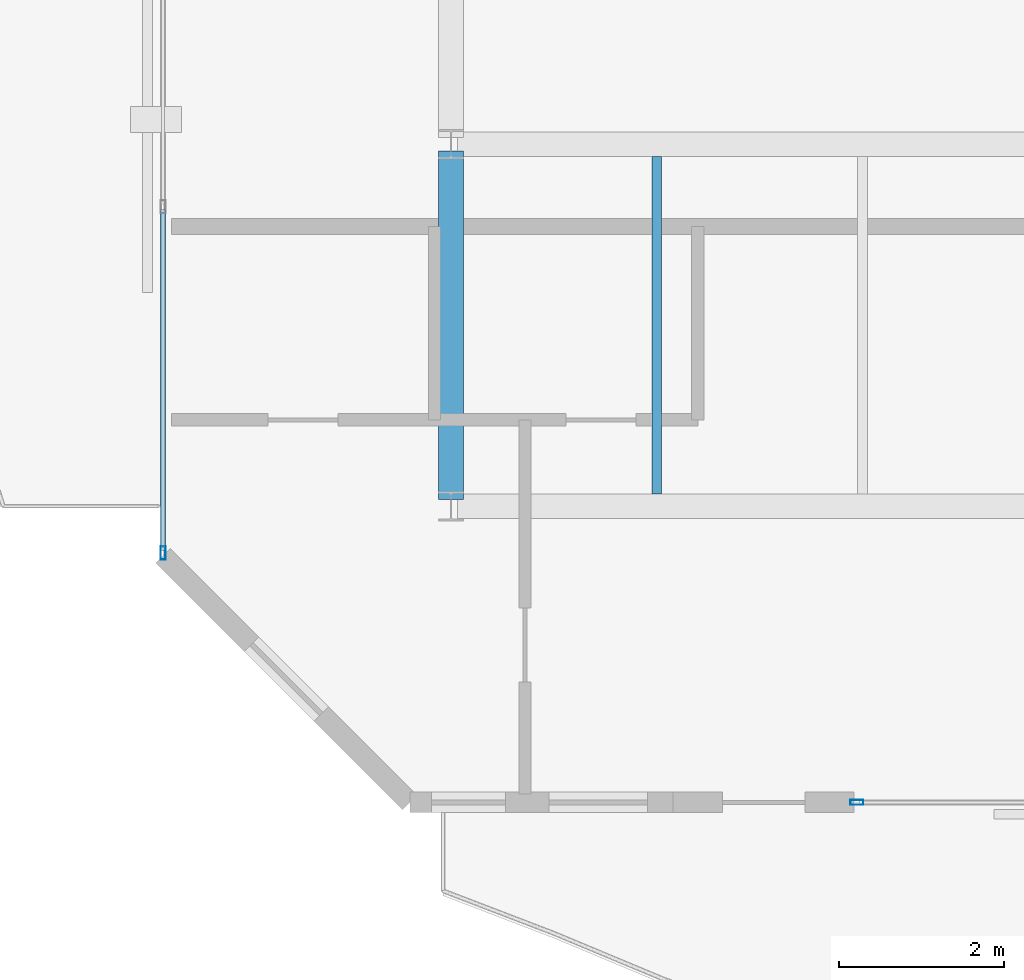
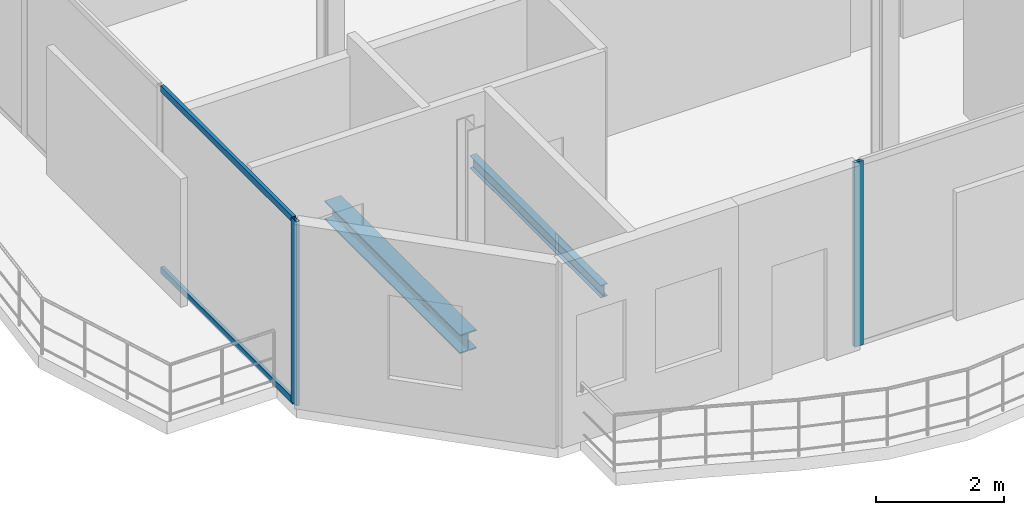
# One storey, part 3 of 22: 4 members, 2 beams, 2 elements without a shape of their own.
"""IFC4 building model written with IfcOpenShell, lengths in metres."""

from ifc_helpers import new_model, si_unit, direction, frame, origin, origin_2d, place, context, subcontext, project, spatial, hollow_rectangle, i_section, extrude, material, layer, layer_set, material_profile, profile_set, type_object, element, aggregate, save


model = new_model("IFC4")

# Units and contexts
model_context = context("Model", 3, precision=1e-05, world=origin(), true_north=direction((0.0, 1.0)))
body_context = subcontext(model_context, "Body", "Model", "MODEL_VIEW")
ifc_project = project(units=[si_unit("LENGTHUNIT", "METRE"), si_unit("AREAUNIT", "SQUARE_METRE"), si_unit("VOLUMEUNIT", "CUBIC_METRE"), si_unit("PLANEANGLEUNIT", "RADIAN"), si_unit("MASSUNIT", "GRAM", prefix="KILO")], contexts=[model_context])

# Site, building, storey
site_placement = place(None, origin())
site = spatial("IfcSite", under=ifc_project, at=site_placement, CompositionType="ELEMENT")
building_placement = place(site_placement, origin())
building = spatial("IfcBuilding", under=site, at=building_placement, Name="Catumbela Crestline Tower", CompositionType="ELEMENT")
storey_placement = place(building_placement, frame((0.0, 0.0, 260.2)))
storey = spatial("IfcBuildingStorey", under=building, at=storey_placement, Name="L67", CompositionType="ELEMENT", Elevation=260.2)

# Beams
ifc_material_1 = material(Name="Structural steel S355J2", Category="steel")
ifc_material_profile_1 = material_profile(ifc_material_1, i_section(OverallWidth=0.3, OverallDepth=0.36, WebThickness=0.0125, FlangeThickness=0.0225, FilletRadius=0.027, at=origin_2d()), Name="HEB 360")
ifc_profile_set_1 = profile_set([ifc_material_profile_1], Name="Structural steel S355J2")
beam_type_1 = type_object("IfcBeamType", Name="BG-HEB360", PredefinedType="BEAM", material=ifc_profile_set_1)
beam_1_placement = place(storey_placement, frame((8.5, 13.68, -0.44), z_axis=(0.0, 1.0, 0.0), x_axis=(-1.0, 0.0, 0.0)))
element("IfcBeam", 1, at=beam_1_placement, inside=storey, type_object=beam_type_1, Name="L67 Beam BM-L67-WNS30", PredefinedType="BEAM", context=body_context, shape_type="SweptSolid", body=[
    extrude(i_section(OverallWidth=0.3, OverallDepth=0.36, WebThickness=0.0125, FlangeThickness=0.0225, FilletRadius=0.027, at=origin_2d()), origin(), (0.0, 0.0, 1.0), 4.24),
])
ifc_material_profile_2 = material_profile(ifc_material_1, i_section(OverallWidth=0.12, OverallDepth=0.24, WebThickness=0.0062, FlangeThickness=0.0098, FilletRadius=0.015, at=origin_2d()), Name="IPE 240")
ifc_profile_set_2 = profile_set([ifc_material_profile_2], Name="Structural steel S355J2")
beam_type_2 = type_object("IfcBeamType", Name="BJ-IPE240", PredefinedType="JOIST", material=ifc_profile_set_2)
beam_2_placement = place(storey_placement, frame((11.0, 13.747, -0.38), z_axis=(0.0, 1.0, 0.0), x_axis=(-1.0, 0.0, 0.0)))
element("IfcBeam", 2, at=beam_2_placement, inside=storey, type_object=beam_type_2, Name="L67 Joist JS-L67-WG34", PredefinedType="JOIST", context=body_context, shape_type="SweptSolid", body=[
    extrude(i_section(OverallWidth=0.12, OverallDepth=0.24, WebThickness=0.0062, FlangeThickness=0.0098, FilletRadius=0.015, at=origin_2d()), origin(), (0.0, 0.0, 1.0), 4.106),
])

# Curtain wall, member
ifc_material_2 = material(Name="Aluminium alloy AW-6060-T66", Category="aluminium")
ifc_layer = layer(ifc_material_2, 0.18, Name="Aluminium alloy AW-6060-T66")
ifc_layer_set = layer_set([ifc_layer], Name="Aluminium alloy AW-6060-T66")
curtain_wall_type = type_object("IfcCurtainWallType", Name="CWU-Z4", PredefinedType="USERDEFINED", material=ifc_layer_set)
curtain_wall_1_placement = place(storey_placement, origin())
curtain_wall_1 = element("IfcCurtainWall", 3, at=curtain_wall_1_placement, inside=storey, type_object=curtain_wall_type, Name="L67 Unitised Curtain Wall CW-L67-E0S2", ObjectType="UNITISED", PredefinedType="USERDEFINED")
ifc_material_profile_3 = material_profile(ifc_material_2, hollow_rectangle(XDim=0.06, YDim=0.16, WallThickness=0.004, at=origin_2d()), Name="ALU 160x60x4")
ifc_profile_set_3 = profile_set([ifc_material_profile_3], Name="Aluminium alloy AW-6060-T66")
member_type_1 = type_object("IfcMemberType", Name="MUL-160X60", PredefinedType="MULLION", material=ifc_profile_set_3)
member_1_placement = place(storey_placement, frame((13.4325, 10.0, 0.0), z_axis=(0.0, 0.0, 1.0), x_axis=(0.0, 1.0, 0.0)))
member_1 = element("IfcMember", 4, at=member_1_placement, type_object=member_type_1, Name="CWU-Z4 mullion 1", PredefinedType="MULLION", context=body_context, shape_type="SweptSolid", body=[
    extrude(hollow_rectangle(XDim=0.06, YDim=0.16, WallThickness=0.004, at=origin_2d()), origin(), (0.0, 0.0, 1.0), 3.53),
])
aggregate(curtain_wall_1, [member_1])

# Curtain wall, members
curtain_wall_2_placement = place(storey_placement, origin())
curtain_wall_2 = element("IfcCurtainWall", 5, at=curtain_wall_2_placement, inside=storey, type_object=curtain_wall_type, Name="L67 Unitised Curtain Wall CW-L67-E9S2", ObjectType="UNITISED", PredefinedType="USERDEFINED")
member_2_placement = place(storey_placement, frame((5.0, 13.0325, 0.0), z_axis=(0.0, 0.0, 1.0), x_axis=(1.0, 0.0, 0.0)))
member_2 = element("IfcMember", 6, at=member_2_placement, type_object=member_type_1, Name="CWU-Z4 mullion 6", PredefinedType="MULLION", context=body_context, shape_type="SweptSolid", body=[
    extrude(hollow_rectangle(XDim=0.06, YDim=0.16, WallThickness=0.004, at=origin_2d()), origin(), (0.0, 0.0, 1.0), 3.53),
])
ifc_material_profile_4 = material_profile(ifc_material_2, hollow_rectangle(XDim=0.06, YDim=0.12, WallThickness=0.0035, at=origin_2d()), Name="ALU 120x60x3.5")
ifc_profile_set_4 = profile_set([ifc_material_profile_4], Name="Aluminium alloy AW-6060-T66")
member_type_2 = type_object("IfcMemberType", Name="TRN-120X60", PredefinedType="USERDEFINED", material=ifc_profile_set_4)
member_3_placement = place(storey_placement, frame((5.0, 17.2075, 0.03), z_axis=(0.0, -1.0, 0.0), x_axis=(1.0, 0.0, 0.0)))
member_3 = element("IfcMember", 7, at=member_3_placement, type_object=member_type_2, Name="CWU-Z4 transom 5.1", ObjectType="TRANSOM", PredefinedType="USERDEFINED", context=body_context, shape_type="SweptSolid", body=[
    extrude(hollow_rectangle(XDim=0.06, YDim=0.12, WallThickness=0.0035, at=origin_2d()), origin(), (0.0, 0.0, 1.0), 4.1425),
])
member_4_placement = place(storey_placement, frame((5.0, 17.2075, 3.5), z_axis=(0.0, -1.0, 0.0), x_axis=(1.0, 0.0, 0.0)))
member_4 = element("IfcMember", 8, at=member_4_placement, type_object=member_type_2, Name="CWU-Z4 transom 5.2", ObjectType="TRANSOM", PredefinedType="USERDEFINED", context=body_context, shape_type="SweptSolid", body=[
    extrude(hollow_rectangle(XDim=0.06, YDim=0.12, WallThickness=0.0035, at=origin_2d()), origin(), (0.0, 0.0, 1.0), 4.1425),
])
aggregate(curtain_wall_2, [member_2, member_3, member_4])

save(model, "model.ifc")
